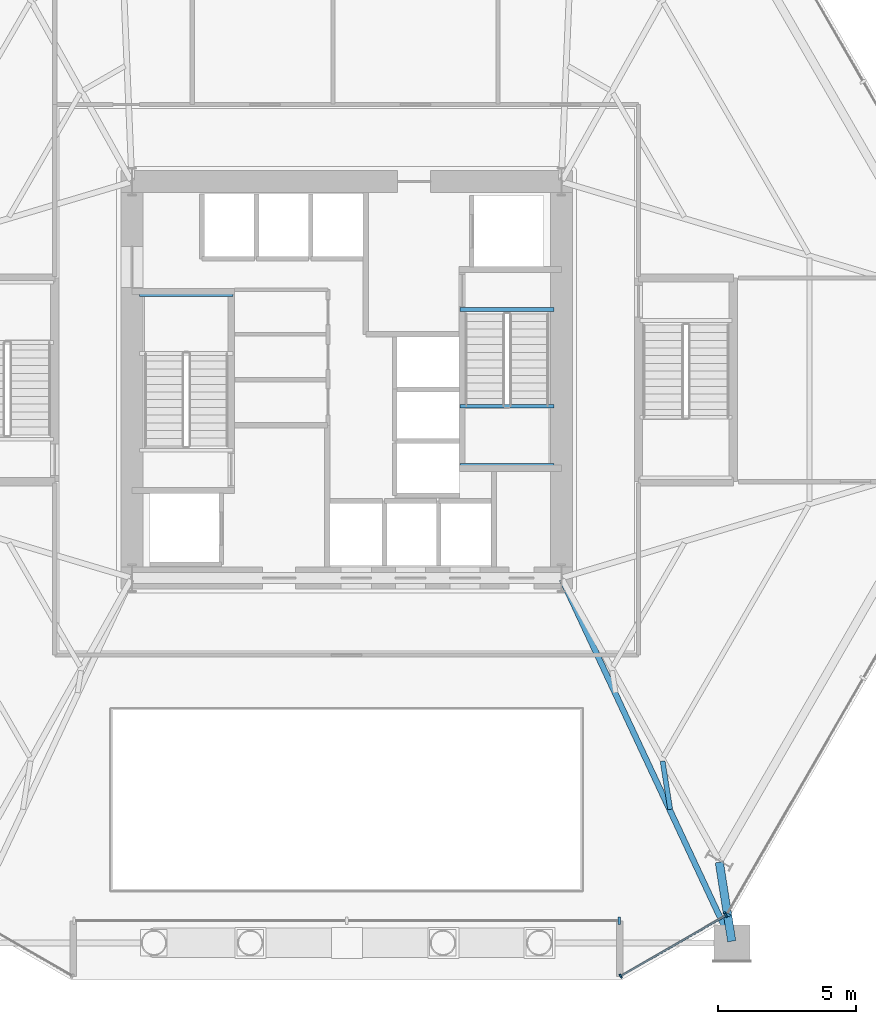
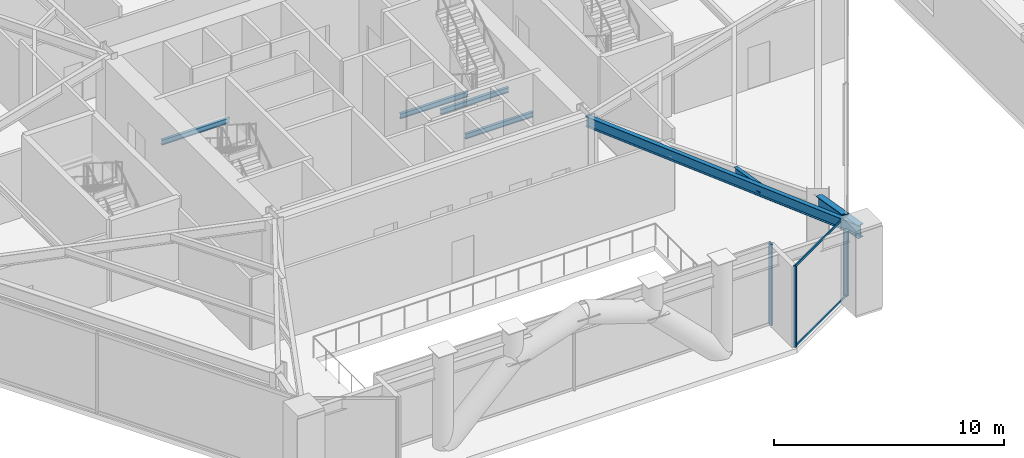
# One storey, part 8 of 23: 7 beams, 6 members, 3 elements without a shape of their own.
"""IFC4 building model written with IfcOpenShell, lengths in metres."""

from ifc_helpers import new_model, si_unit, direction, frame, origin, origin_2d, place, context, subcontext, project, spatial, rectangle, i_section, extrude, material, layer, layer_set, material_profile, profile_set, type_object, element, aggregate, save


model = new_model("IFC4")

# Units and contexts
model_context = context("Model", 3, precision=1e-05, world=origin(), true_north=direction((0.0, 1.0)))
body_context = subcontext(model_context, "Body", "Model", "MODEL_VIEW")
ifc_project = project(units=[si_unit("LENGTHUNIT", "METRE"), si_unit("AREAUNIT", "SQUARE_METRE"), si_unit("VOLUMEUNIT", "CUBIC_METRE"), si_unit("PLANEANGLEUNIT", "RADIAN"), si_unit("MASSUNIT", "GRAM", prefix="KILO")], contexts=[model_context])

# Site, building, storey
site_placement = place(None, origin())
site = spatial("IfcSite", under=ifc_project, at=site_placement, CompositionType="ELEMENT")
building_placement = place(site_placement, origin())
building = spatial("IfcBuilding", under=site, at=building_placement, Name="Kranzbogen Civic Tower", CompositionType="ELEMENT")
storey_placement = place(building_placement, frame((0.0, 0.0, 14.39990234375)))
storey = spatial("IfcBuildingStorey", under=building, at=storey_placement, Name="L03", CompositionType="ELEMENT", Elevation=14.39990234375)

# Curtain wall, members
ifc_material_1 = material(Name="Pale Anodised Aluminium", Category="aluminium")
ifc_layer_1 = layer(ifc_material_1, 0.219970703125, Name="Pale Anodised Aluminium")
ifc_layer_set_1 = layer_set([ifc_layer_1], Name="Pale Anodised Aluminium")
curtain_wall_type_1 = type_object("IfcCurtainWallType", Name="Chamfer Facet Stick Curtain Wall System CW-06", PredefinedType="USERDEFINED", material=ifc_layer_set_1)
curtain_wall_1_placement = place(storey_placement, origin())
curtain_wall_1 = element("IfcCurtainWall", 1, at=curtain_wall_1_placement, inside=storey, type_object=curtain_wall_type_1, Name="L03 curtain wall CW-L03-C5", ObjectType="STICK CURTAIN WALL", PredefinedType="USERDEFINED")
ifc_material_profile_1 = material_profile(ifc_material_1, rectangle(XDim=0.06005859375, YDim=0.159912109375, at=origin_2d()), Name="ALU-M 60x160")
ifc_profile_set_1 = profile_set([ifc_material_profile_1], Name="Pale Anodised Aluminium")
member_type_1 = type_object("IfcMemberType", Name="Curtain Wall Mullion ALU-M 60x160", PredefinedType="MULLION", material=ifc_profile_set_1)
member_1_placement = place(storey_placement, frame((34.9560546875, 3.342041015625, 0.0), z_axis=(0.0, 0.0, 1.0), x_axis=(0.865992001897, 0.500057849305, 0.0)))
member_1 = element("IfcMember", 2, at=member_1_placement, type_object=member_type_1, Name="CW-06 mullion 1", PredefinedType="MULLION", context=body_context, shape_type="SweptSolid", body=[
    extrude(rectangle(XDim=0.06005859375, YDim=0.159912109375, at=origin_2d()), origin(), (0.0, 0.0, 1.0), 4.300048828125),
])
member_2_placement = place(storey_placement, frame((38.778076171875, 5.549072265625, 0.0), z_axis=(0.0, 0.0, 1.0), x_axis=(0.865992001897, 0.500057849305, 0.0)))
member_2 = element("IfcMember", 3, at=member_2_placement, type_object=member_type_1, Name="CW-06 mullion 2", PredefinedType="MULLION", context=body_context, shape_type="SweptSolid", body=[
    extrude(rectangle(XDim=0.06005859375, YDim=0.159912109375, at=origin_2d()), origin(), (0.0, 0.0, 1.0), 4.300048828125),
])

# Curtain wall, member
ifc_layer_2 = layer(ifc_material_1, 0.219970703125, Name="Pale Anodised Aluminium")
ifc_layer_set_2 = layer_set([ifc_layer_2], Name="Pale Anodised Aluminium")
curtain_wall_type_2 = type_object("IfcCurtainWallType", Name="Podium Stick Curtain Wall System CW-01", PredefinedType="USERDEFINED", material=ifc_layer_set_2)
curtain_wall_2_placement = place(storey_placement, origin())
curtain_wall_2 = element("IfcCurtainWall", 4, at=curtain_wall_2_placement, inside=storey, type_object=curtain_wall_type_2, Name="L03 curtain wall CW-L03-F5", ObjectType="STICK CURTAIN WALL", PredefinedType="USERDEFINED")
ifc_material_profile_2 = material_profile(ifc_material_1, rectangle(XDim=0.0849609375, YDim=0.260009765625, at=origin_2d()), Name="ALU-M 85x260")
ifc_profile_set_2 = profile_set([ifc_material_profile_2], Name="Pale Anodised Aluminium")
member_type_2 = type_object("IfcMemberType", Name="Curtain Wall Mullion ALU-M 85x260", PredefinedType="MULLION", material=ifc_profile_set_2)
member_3_placement = place(storey_placement, frame((34.89990234375, 5.35009765625, 0.0), z_axis=(0.0, 0.0, 1.0), x_axis=(1.0, 0.0, 0.0)))
member_3 = element("IfcMember", 5, at=member_3_placement, type_object=member_type_2, Name="CW-01 mullion 3", PredefinedType="MULLION", context=body_context, shape_type="SweptSolid", body=[
    extrude(rectangle(XDim=0.0849609375, YDim=0.260009765625, at=origin_2d()), origin(), (0.0, 0.0, 1.0), 4.300048828125),
])
aggregate(curtain_wall_2, [member_3])

curtain_wall_3_placement = place(storey_placement, origin())
curtain_wall_3 = element("IfcCurtainWall", 6, at=curtain_wall_3_placement, inside=storey, type_object=curtain_wall_type_2, Name="L03 curtain wall CW-L03-F6", ObjectType="STICK CURTAIN WALL", PredefinedType="USERDEFINED")
member_4_placement = place(storey_placement, frame((38.819091796875, 5.590087890625, 0.0), z_axis=(0.0, 0.0, 1.0), x_axis=(0.500005767433, 0.86602207393, 0.0)))
member_4 = element("IfcMember", 7, at=member_4_placement, type_object=member_type_2, Name="CW-01 mullion 1", PredefinedType="MULLION", context=body_context, shape_type="SweptSolid", body=[
    extrude(rectangle(XDim=0.0849609375, YDim=0.260009765625, at=origin_2d()), origin(), (0.0, 0.0, 1.0), 4.300048828125),
])
aggregate(curtain_wall_3, [member_4])

# Member
ifc_material_profile_3 = material_profile(ifc_material_1, rectangle(XDim=0.06005859375, YDim=0.1201171875, at=origin_2d()), Name="ALU-T 60x120")
ifc_profile_set_3 = profile_set([ifc_material_profile_3], Name="Pale Anodised Aluminium")
member_type_3 = type_object("IfcMemberType", Name="Curtain Wall Transom ALU-T 60x120", PredefinedType="USERDEFINED", material=ifc_profile_set_3)
member_5_placement = place(storey_placement, frame((34.98193359375, 3.35693359375, 0.030029296875), z_axis=(0.865987588642, 0.500065492029, 0.0), x_axis=(-0.500065492029, 0.865987588642, 0.0)))
member_5 = element("IfcMember", 8, at=member_5_placement, type_object=member_type_3, Name="CW-06 transom 1.1", ObjectType="TRANSOM", PredefinedType="USERDEFINED", context=body_context, shape_type="SweptSolid", body=[
    extrude(rectangle(XDim=0.06005859375, YDim=0.1201171875, at=origin_2d()), origin(), (0.0, 0.0, 1.0), 4.353515625),
])

member_6_placement = place(storey_placement, frame((34.98193359375, 3.35693359375, 4.27001953125), z_axis=(0.865987588642, 0.500065492029, 0.0), x_axis=(-0.500065492029, 0.865987588642, 0.0)))
member_6 = element("IfcMember", 9, at=member_6_placement, type_object=member_type_3, Name="CW-06 transom 1.2", ObjectType="TRANSOM", PredefinedType="USERDEFINED", context=body_context, shape_type="SweptSolid", body=[
    extrude(rectangle(XDim=0.06005859375, YDim=0.1201171875, at=origin_2d()), origin(), (0.0, 0.0, 1.0), 4.353515625),
])

aggregate(curtain_wall_1, [member_1, member_2, member_5, member_6])

# Beams
ifc_material_2 = material(Name="Steel S355", Category="steel")
ifc_material_profile_4 = material_profile(ifc_material_2, i_section(OverallWidth=0.300048828125, OverallDepth=0.699951171875, WebThickness=0.01708984375, FlangeThickness=0.031982421875, at=origin_2d()), Name="HEB 700")
ifc_profile_set_4 = profile_set([ifc_material_profile_4], Name="Steel S355")
beam_type_1 = type_object("IfcBeamType", Name="Perimeter Tube Spandrel Beam HEB 700", PredefinedType="SPANDREL", material=ifc_profile_set_4)
beam_1_placement = place(storey_placement, frame((38.990966796875, 4.60888671875, 3.9501953125), z_axis=(-0.155310516678, 0.9878657011, 0.0), x_axis=(-0.9878657011, -0.155310516678, 0.0)))
element("IfcBeam", 10, at=beam_1_placement, inside=storey, type_object=beam_type_1, Name="L03 perimeter spandrel beam 04", PredefinedType="SPANDREL", context=body_context, shape_type="SweptSolid", body=[
    extrude(i_section(OverallWidth=0.300048828125, OverallDepth=0.699951171875, WebThickness=0.01708984375, FlangeThickness=0.031982421875, at=origin_2d()), origin(), (0.0, 0.0, 1.0), 2.9033203125),
])
ifc_material_profile_5 = material_profile(ifc_material_2, i_section(OverallWidth=0.2099609375, OverallDepth=0.550048828125, WebThickness=0.010986328125, FlangeThickness=0.01708984375, at=origin_2d()), Name="IPE 550")
ifc_profile_set_5 = profile_set([ifc_material_profile_5], Name="Steel S355")
beam_type_2 = type_object("IfcBeamType", Name="Radial Tower Floor Girder IPE 550", PredefinedType="BEAM", material=ifc_profile_set_5)
beam_2_placement = place(storey_placement, frame((38.97509765625, 4.60400390625, 4.025146484375), z_axis=(-0.423857000271, 0.905729122487, 0.0), x_axis=(-0.905729122487, -0.423857000271, 0.0)))
element("IfcBeam", 11, at=beam_2_placement, inside=storey, type_object=beam_type_2, Name="L03 radial floor girder 04", PredefinedType="BEAM", context=body_context, shape_type="SweptSolid", body=[
    extrude(i_section(OverallWidth=0.2099609375, OverallDepth=0.550048828125, WebThickness=0.010986328125, FlangeThickness=0.01708984375, at=origin_2d()), origin(), (0.0, 0.0, 1.0), 14.510009765625),
])
ifc_material_profile_6 = material_profile(ifc_material_2, i_section(OverallWidth=0.179931640625, OverallDepth=0.39990234375, WebThickness=0.008544921875, FlangeThickness=0.013427734375, at=origin_2d()), Name="IPE 400")
ifc_profile_set_6 = profile_set([ifc_material_profile_6], Name="Steel S355")
beam_type_3 = type_object("IfcBeamType", Name="Secondary Composite Floor Joist IPE 400", PredefinedType="JOIST", material=ifc_profile_set_6)
beam_3_placement = place(storey_placement, frame((36.756103515625, 9.39892578125, 4.10009765625), z_axis=(-0.155581109843, 0.987823120938, 0.0), x_axis=(-0.987823120938, -0.155581109843, 0.0)))
element("IfcBeam", 12, at=beam_3_placement, inside=storey, type_object=beam_type_3, Name="L03 secondary floor joist 1.04", PredefinedType="JOIST", context=body_context, shape_type="SweptSolid", body=[
    extrude(i_section(OverallWidth=0.179931640625, OverallDepth=0.39990234375, WebThickness=0.008544921875, FlangeThickness=0.013427734375, at=origin_2d()), origin(), (0.0, 0.0, 1.0), 1.77490234375),
])
ifc_material_profile_7 = material_profile(ifc_material_2, i_section(OverallWidth=0.135009765625, OverallDepth=0.27001953125, WebThickness=0.006591796875, FlangeThickness=0.01025390625, at=origin_2d()), Name="IPE 270")
ifc_profile_set_7 = profile_set([ifc_material_profile_7], Name="Steel S355")
beam_type_4 = type_object("IfcBeamType", Name="Stair Landing Support Beam IPE 270", PredefinedType="JOIST", material=ifc_profile_set_7)
for number, where, z_axis, x_axis, name in (
    (13, (20.8798828125, 28.10009765625, 1.965087890625), (-1.0, 0.0, 0.0), (0.0, -1.0, 0.0), "L03 ST-T1 landing support beam 1.2"),
    (14, (29.1201171875, 27.56005859375, -0.39501953125), (1.0, 0.0, 0.0), (0.0, 1.0, 0.0), "L03 ST-T2 stair floor header beam"),
    (15, (29.1201171875, 24.0400390625, 1.965087890625), (1.0, 0.0, 0.0), (0.0, 1.0, 0.0), "L03 ST-T2 landing support beam 1.1"),
    (16, (29.1201171875, 21.89990234375, 1.965087890625), (1.0, 0.0, 0.0), (0.0, 1.0, 0.0), "L03 ST-T2 landing support beam 1.2"),
):
    element("IfcBeam", number, at=place(storey_placement, frame(where, z_axis=z_axis, x_axis=x_axis)), inside=storey, type_object=beam_type_4, Name=name, PredefinedType="JOIST", context=body_context, shape_type="SweptSolid", body=[
        extrude(i_section(OverallWidth=0.135009765625, OverallDepth=0.27001953125, WebThickness=0.006591796875, FlangeThickness=0.01025390625, at=origin_2d()), origin(), (0.0, 0.0, 1.0), 3.409912109375),
    ])

save(model, "model.ifc")
